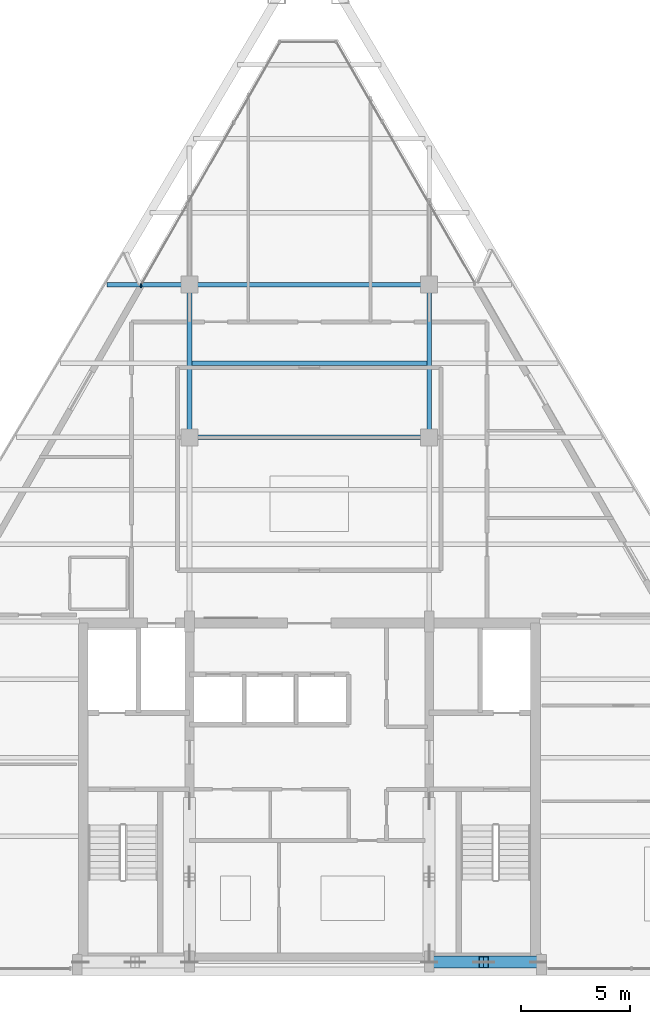
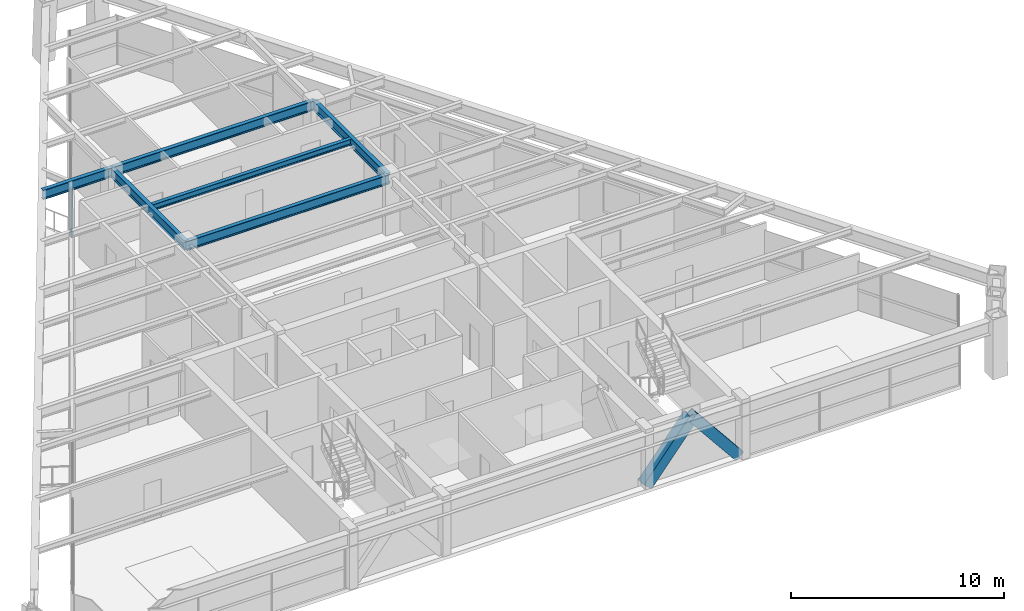
# One storey, part 4 of 13: 6 beams, 4 members, 1 element without a shape of its own.
"""IFC4 building model written with IfcOpenShell, lengths in metres."""

import ifcopenshell
import ifcopenshell.guid

model = None  # the IFC model being written
_history = None  # IfcOwnerHistory: only IFC2X3 demands one
_inside = {}  # id of a spatial element -> (the spatial element, [elements in it])
_under = {}  # id of a project, library or spatial element -> (it, [spatial elements below it])
_declared = {}  # id of a project -> (the project, [libraries it declares])
_typed = {}  # id of a type object -> (the type object, [elements of that type])
_made_of = {}  # id of a material, layer set ... -> (it, [elements and type objects made of it])


def new_model(schema):
    """Start an empty IFC model of exactly this schema.

    Asked for "IFC4X3", IfcOpenShell would pick the latest addendum, in which some entities
    have other attributes; the version numbers below select the first issue.
    IFC2X3 requires an IfcOwnerHistory on every rooted entity: one is made here for all.
    """
    global model, _history
    if schema == "IFC4X3":
        model = ifcopenshell.file(schema_version=(4, 3, 0, 0))
    else:
        model = ifcopenshell.file(schema=schema)
    _inside.clear()
    _under.clear()
    _declared.clear()
    _typed.clear()
    _made_of.clear()
    _history = None
    if model.schema == "IFC2X3":
        org = make("IfcOrganization", Name="unknown")
        user = make(
            "IfcPersonAndOrganization",
            ThePerson=make("IfcPerson", FamilyName="unknown"),
            TheOrganization=org,
        )
        app = make(
            "IfcApplication",
            ApplicationDeveloper=org,
            Version="unknown",
            ApplicationFullName="unknown",
            ApplicationIdentifier="unknown",
        )
        _history = make(
            "IfcOwnerHistory",
            OwningUser=user,
            OwningApplication=app,
            ChangeAction="ADDED",
            CreationDate=0,
        )
    return model


def make(cls, **values):
    """One entity of the class cls with the attributes given. An attribute that is None is left unset."""
    return model.create_entity(
        cls, **{name: value for name, value in values.items() if value is not None}
    )


def rooted(cls, **values):
    """An entity with a GlobalId (a new one), such as an element, a storey or a relation."""
    return make(cls, GlobalId=ifcopenshell.guid.new(), OwnerHistory=_history, **values)


def si_unit(unit_type, name, prefix=None):
    """IfcSIUnit, for example si_unit("LENGTHUNIT", "METRE", prefix="MILLI")."""
    return make("IfcSIUnit", UnitType=unit_type, Prefix=prefix, Name=name)


def assignment(units):
    """IfcUnitAssignment: the units of a project."""
    return None if units is None else make("IfcUnitAssignment", Units=units)


def point(xyz):
    """IfcCartesianPoint."""
    return None if xyz is None else make("IfcCartesianPoint", Coordinates=xyz)


def direction(xyz):
    """IfcDirection."""
    return None if xyz is None else make("IfcDirection", DirectionRatios=xyz)


def frame(location, z_axis=None, x_axis=None):
    """IfcAxis2Placement3D, a coordinate frame: its origin and axes. An axis left out is left unset."""
    return make(
        "IfcAxis2Placement3D",
        Location=point(location),
        Axis=direction(z_axis),
        RefDirection=direction(x_axis),
    )


def frame_2d(location, x_axis=None):
    """IfcAxis2Placement2D, a coordinate frame in the plane: its origin and x axis."""
    return make(
        "IfcAxis2Placement2D", Location=point(location), RefDirection=direction(x_axis)
    )


def origin():
    """The frame at (0, 0, 0) with its axes left unset."""
    return frame((0.0, 0.0, 0.0))


def origin_2d():
    """The frame at (0, 0) in the plane with its x axis left unset."""
    return frame_2d((0.0, 0.0))


def place(relative_to, where):
    """IfcLocalPlacement: puts the frame where relative to a parent placement (None: the world)."""
    return make(
        "IfcLocalPlacement", PlacementRelTo=relative_to, RelativePlacement=where
    )


def context(
    kind, dimensions, precision=None, world=None, true_north=None, identifier=None
):
    """IfcGeometricRepresentationContext, for example the 3D "Model" context."""
    return make(
        "IfcGeometricRepresentationContext",
        ContextIdentifier=identifier,
        ContextType=kind,
        CoordinateSpaceDimension=dimensions,
        Precision=precision,
        WorldCoordinateSystem=world,
        TrueNorth=true_north,
    )


def subcontext(parent, identifier, kind, view, scale=None):
    """IfcGeometricRepresentationSubContext, for example "Body" below "Model"."""
    return make(
        "IfcGeometricRepresentationSubContext",
        ContextIdentifier=identifier,
        ContextType=kind,
        ParentContext=parent,
        TargetScale=scale,
        TargetView=view,
    )


def project(units=None, contexts=None):
    """IfcProject with its units and contexts."""
    return rooted(
        "IfcProject",
        Name="project",
        RepresentationContexts=contexts,
        UnitsInContext=assignment(units),
    )


def spatial(cls, under=None, at=None, **own):
    """A site, building, storey or space (cls), placed at a placement, below another one or the project."""
    s = rooted(cls, ObjectPlacement=at, **own)
    if under is not None:
        _under.setdefault(under.id(), (under, []))[1].append(s)
    return s


def profile(cls, at=None, kind="AREA", **sizes):
    """A parametric profile (cls). Its sizes go by their IFC names, for example OverallWidth=200.0."""
    return make(cls, ProfileType=kind, Position=at, **sizes)


def rectangle(**sizes):
    """IfcRectangleProfileDef."""
    return profile("IfcRectangleProfileDef", **sizes)


def hollow_rectangle(**sizes):
    """IfcRectangleHollowProfileDef."""
    return profile("IfcRectangleHollowProfileDef", **sizes)


def i_section(**sizes):
    """IfcIShapeProfileDef."""
    return profile("IfcIShapeProfileDef", **sizes)


def extrude(swept, where, along, depth):
    """IfcExtrudedAreaSolid: the profile swept, set in the frame where, extruded along a direction by depth."""
    return make(
        "IfcExtrudedAreaSolid",
        SweptArea=swept,
        Position=where,
        ExtrudedDirection=direction(along),
        Depth=depth,
    )


def shape(context_of_items, identifier, shape_type, items):
    """IfcShapeRepresentation: the items that make up one representation, for example the "Body"."""
    return make(
        "IfcShapeRepresentation",
        ContextOfItems=context_of_items,
        RepresentationIdentifier=identifier,
        RepresentationType=shape_type,
        Items=items,
    )


def source(mapping_origin, context_of_items, identifier, shape_type, items):
    """IfcRepresentationMap: a shape defined once, which mapped items show again and again."""
    return make(
        "IfcRepresentationMap",
        MappingOrigin=mapping_origin,
        MappedRepresentation=shape(context_of_items, identifier, shape_type, items),
    )


def transform(
    local_origin,
    x_axis=None,
    y_axis=None,
    z_axis=None,
    scale=None,
    scale2=None,
    scale3=None,
    uniform=True,
):
    """IfcCartesianTransformationOperator3D, or its non-uniform kind. x_axis, y_axis, z_axis: its Axis1, 2, 3."""
    if uniform:
        return make(
            "IfcCartesianTransformationOperator3D",
            Axis1=direction(x_axis),
            Axis2=direction(y_axis),
            LocalOrigin=point(local_origin),
            Scale=scale,
            Axis3=direction(z_axis),
        )
    return make(
        "IfcCartesianTransformationOperator3DnonUniform",
        Axis1=direction(x_axis),
        Axis2=direction(y_axis),
        LocalOrigin=point(local_origin),
        Scale=scale,
        Axis3=direction(z_axis),
        Scale2=scale2,
        Scale3=scale3,
    )


def mapped(mapping_source, mapping_target):
    """IfcMappedItem: shows the shape of a source again, moved by a transform."""
    return make(
        "IfcMappedItem", MappingSource=mapping_source, MappingTarget=mapping_target
    )


def material(Name=None, Category=None):
    """IfcMaterial."""
    return make("IfcMaterial", Name=Name, Category=Category)


def material_profile(
    of_material, cross_section, Name=None, Category=None, Priority=None
):
    """IfcMaterialProfile: a cross section and its material."""
    return make(
        "IfcMaterialProfile",
        Name=Name,
        Material=of_material,
        Profile=cross_section,
        Priority=Priority,
        Category=Category,
    )


def profile_set(profiles, Name=None, composite=None):
    """IfcMaterialProfileSet."""
    return make(
        "IfcMaterialProfileSet",
        Name=Name,
        MaterialProfiles=profiles,
        CompositeProfile=composite,
    )


def made_of(thing, what):
    """Note that an element or type object is made of a material, layer set ...; save() writes the relation."""
    if what is not None:
        _made_of.setdefault(what.id(), (what, []))[1].append(thing)
    return thing


def type_object(cls, material=None, **own):
    """A type object (cls), such as IfcWallType, which elements share."""
    return made_of(rooted(cls, **own), material)


def type_shapes(of_type, sources):
    """Give a type object the sources (RepresentationMaps) that its elements show as mapped items."""
    of_type.RepresentationMaps = sources


def element(
    cls,
    number,
    at=None,
    inside=None,
    cuts=None,
    type_object=None,
    material=None,
    context=None,
    identifier="Body",
    shape_type=None,
    held_by="IfcProductDefinitionShape",
    body=None,
    shapes=None,
    **own,
):
    """One element of the class cls, such as IfcWall. Its Tag is "e" and its number.

    at: its placement. inside: the storey or other place that contains it. cuts: it is an
    opening in that element (IfcRelVoidsElement). A single representation is given by context,
    identifier, shape_type and body (its items); several are given by shapes. held_by: the class
    of the entity that holds the representations. save() writes the other relations.
    """
    e = rooted(cls, Tag="e%d" % number, ObjectPlacement=at, **own)
    if body is not None:
        shapes = [shape(context, identifier, shape_type, body)]
    if shapes is not None:
        e.Representation = make(held_by, Representations=shapes)
    if inside is not None:
        _inside.setdefault(inside.id(), (inside, []))[1].append(e)
    if cuts is not None:
        rooted(
            "IfcRelVoidsElement", RelatingBuildingElement=cuts, RelatedOpeningElement=e
        )
    if type_object is not None:
        _typed.setdefault(type_object.id(), (type_object, []))[1].append(e)
    return made_of(e, material)


def aggregate(whole, parts):
    """IfcRelAggregates: a whole, such as a stair, and the parts it consists of."""
    return rooted("IfcRelAggregates", RelatingObject=whole, RelatedObjects=parts)


def save(model, path):
    """Write the relations noted so far, then the file.

    IfcRelAggregates (storeys below a building ...), IfcRelContainedInSpatialStructure (elements
    in a storey), IfcRelDefinesByType, IfcRelAssociatesMaterial and IfcRelDeclares: one each for
    every whole, place, type object, material and project.
    """
    for whole, parts in _under.values():
        aggregate(whole, parts)
    for where, things in _inside.values():
        rooted(
            "IfcRelContainedInSpatialStructure",
            RelatedElements=things,
            RelatingStructure=where,
        )
    for kind, things in _typed.values():
        rooted("IfcRelDefinesByType", RelatedObjects=things, RelatingType=kind)
    for what, things in _made_of.values():
        rooted("IfcRelAssociatesMaterial", RelatedObjects=things, RelatingMaterial=what)
    for by, libraries in _declared.values():
        rooted("IfcRelDeclares", RelatingContext=by, RelatedDefinitions=libraries)
    model.write(path)


model = new_model("IFC4")

# Units and contexts
model_context = context("Model", 3, precision=1e-05, world=origin(), true_north=direction((0.0, 1.0)))
body_context = subcontext(model_context, "Body", "Model", "MODEL_VIEW")
ifc_project = project(units=[si_unit("LENGTHUNIT", "METRE"), si_unit("AREAUNIT", "SQUARE_METRE"), si_unit("VOLUMEUNIT", "CUBIC_METRE"), si_unit("PLANEANGLEUNIT", "RADIAN"), si_unit("MASSUNIT", "GRAM", prefix="KILO")], contexts=[model_context])

# Site, building, storey
site_placement = place(None, origin())
site = spatial("IfcSite", under=ifc_project, at=site_placement, CompositionType="ELEMENT")
building_placement = place(site_placement, origin())
building = spatial("IfcBuilding", under=site, at=building_placement, Name="Varnakhor Terracotta Tower", CompositionType="ELEMENT")
storey_placement = place(building_placement, frame((0.0, 0.0, 297.14990234375)))
storey = spatial("IfcBuildingStorey", under=building, at=storey_placement, Name="L78", CompositionType="ELEMENT", Elevation=297.14990234375)

# Beams
ifc_material_1 = material(Name="Steel S355", Category="steel")
ifc_material_profile_1 = material_profile(ifc_material_1, i_section(OverallWidth=0.214111328125, OverallDepth=0.549072265625, WebThickness=0.014892578125, FlangeThickness=0.02392578125, FilletRadius=0.01806640625, at=origin_2d()), Name="W21X93")
ifc_profile_set_1 = profile_set([ifc_material_profile_1], Name="Steel S355")
beam_type_1 = type_object("IfcBeamType", Name="BM-W21X93", PredefinedType="BEAM", material=ifc_profile_set_1)
shared_shape_1 = source(origin(), body_context, "Body", "SweptSolid", [
    extrude(i_section(OverallWidth=0.214111328125, OverallDepth=0.549072265625, WebThickness=0.014892578125, FlangeThickness=0.02392578125, FilletRadius=0.01806640625, at=origin_2d()), origin(), (0.0, 0.0, 1.0), 7.0),
])
for number, where, z_axis, x_axis, name in (
    (1, (-5.5, 24.5, 2.965576171875), (0.0, 1.0, 0.0), (-1.0, 0.0, 0.0), "L78 Primary Girder NS2-W"),
    (2, (5.5, 24.5, 2.965576171875), (0.0, 1.0, 0.0), (-1.0, 0.0, 0.0), "L78 Primary Girder NS2-E"),
):
    element("IfcBeam", number, at=place(storey_placement, frame(where, z_axis=z_axis, x_axis=x_axis)), inside=storey, type_object=beam_type_1, Name=name, PredefinedType="BEAM", context=body_context, shape_type="MappedRepresentation", body=[
        mapped(shared_shape_1, transform((0.0, 0.0, 0.0), scale=1.0)),
    ])
shared_shape_2 = source(origin(), body_context, "Body", "SweptSolid", [
    extrude(i_section(OverallWidth=0.214111328125, OverallDepth=0.549072265625, WebThickness=0.014892578125, FlangeThickness=0.02392578125, FilletRadius=0.01806640625, at=origin_2d()), origin(), (0.0, 0.0, 1.0), 11.0),
])
for number, where, z_axis, x_axis, name in (
    (3, (-5.5, 24.5, 2.965576171875), (1.0, 0.0, 0.0), (0.0, 1.0, 0.0), "L78 Primary Girder EW2-2"),
    (4, (-5.5, 31.5, 2.965576171875), (1.0, 0.0, 0.0), (0.0, 1.0, 0.0), "L78 Primary Girder EW3-2"),
):
    element("IfcBeam", number, at=place(storey_placement, frame(where, z_axis=z_axis, x_axis=x_axis)), inside=storey, type_object=beam_type_1, Name=name, PredefinedType="BEAM", context=body_context, shape_type="MappedRepresentation", body=[
        mapped(shared_shape_2, transform((0.0, 0.0, 0.0), scale=1.0)),
    ])
ifc_material_profile_2 = material_profile(ifc_material_1, i_section(OverallWidth=0.202880859375, OverallDepth=0.346923828125, WebThickness=0.0078125, FlangeThickness=0.013427734375, FilletRadius=0.01806640625, at=origin_2d()), Name="W14X43")
ifc_profile_set_2 = profile_set([ifc_material_profile_2], Name="Steel S355")
beam_type_2 = type_object("IfcBeamType", Name="JST-W14X43", PredefinedType="JOIST", material=ifc_profile_set_2)
shared_shape_3 = source(origin(), body_context, "Body", "SweptSolid", [
    extrude(i_section(OverallWidth=0.202880859375, OverallDepth=0.346923828125, WebThickness=0.0078125, FlangeThickness=0.013427734375, FilletRadius=0.01806640625, at=origin_2d()), origin(), (0.0, 0.0, 1.0), 10.7939453125),
])
beam_1_placement = place(storey_placement, frame((-5.39697265625, 27.89990234375, 3.066650390625), z_axis=(1.0, 0.0, 0.0), x_axis=(0.0, 1.0, 0.0)))
element("IfcBeam", 5, at=beam_1_placement, inside=storey, type_object=beam_type_2, Name="L78 Composite Floor Joist 6-2", PredefinedType="JOIST", context=body_context, shape_type="MappedRepresentation", body=[
    mapped(shared_shape_3, transform((0.0, 0.0, 0.0), scale=1.0)),
])

# Members
ifc_material_profile_3 = material_profile(ifc_material_1, hollow_rectangle(XDim=0.550048828125, YDim=0.550048828125, WallThickness=0.034912109375, at=origin_2d()), Name="HSS550X550X35")
ifc_profile_set_3 = profile_set([ifc_material_profile_3], Name="Steel S355")
member_type_1 = type_object("IfcMemberType", Name="MBR-MEGA-550", PredefinedType="BRACE", material=ifc_profile_set_3)
shared_shape_4 = source(origin(), body_context, "Body", "SweptSolid", [
    extrude(hollow_rectangle(XDim=0.550048828125, YDim=0.550048828125, WallThickness=0.034912109375, at=origin_2d()), origin(), (0.0, 0.0, 1.0), 3.974853515625),
])
for number, where, z_axis, x_axis, name in (
    (6, (5.5, 0.419921875, 0.0), (0.628970263838, 0.0, 0.777429358339), (0.0, 1.0, 0.0), "L78 Core Coupled Brace CSEA"),
    (7, (10.5, 0.419921875, 0.0), (-0.628970263838, 0.0, 0.777429358339), (0.0, -1.0, 0.0), "L78 Core Coupled Brace CSEB"),
):
    element("IfcMember", number, at=place(storey_placement, frame(where, z_axis=z_axis, x_axis=x_axis)), inside=storey, type_object=member_type_1, Name=name, PredefinedType="BRACE", context=body_context, shape_type="MappedRepresentation", body=[
        mapped(shared_shape_4, transform((0.0, 0.0, 0.0), scale=1.0)),
    ])

# Beam
shared_shape_5 = source(origin(), body_context, "Body", "SweptSolid", [
    extrude(i_section(OverallWidth=0.214111328125, OverallDepth=0.549072265625, WebThickness=0.014892578125, FlangeThickness=0.02392578125, FilletRadius=0.01806640625, at=origin_2d()), origin(), (0.0, 0.0, 1.0), 3.777099609375),
])
beam_2_placement = place(storey_placement, frame((-9.277099609375, 31.5, 2.965576171875), z_axis=(1.0, 0.0, 0.0), x_axis=(0.0, 1.0, 0.0)))
element("IfcBeam", 8, at=beam_2_placement, inside=storey, type_object=beam_type_1, Name="L78 Primary Girder EW3-1", PredefinedType="BEAM", context=body_context, shape_type="MappedRepresentation", body=[
    mapped(shared_shape_5, transform((0.0, 0.0, 0.0), scale=1.0)),
])

# Curtain wall, members
ifc_material_2 = material(Name="Anodised Aluminium Curtain Wall System", Category="aluminium")
curtain_wall_type = type_object("IfcCurtainWallType", Name="CW-SYS-HOTEL-LOGGIA", PredefinedType="NOTDEFINED", material=ifc_material_2)
curtain_wall_placement = place(storey_placement, origin())
curtain_wall = element("IfcCurtainWall", 9, at=curtain_wall_placement, inside=storey, type_object=curtain_wall_type, Name="L78 W Facet Curtain Wall 2", PredefinedType="NOTDEFINED")
ifc_material_3 = material(Name="Anodised Aluminium 6063-T6", Category="aluminium")
ifc_material_profile_4 = material_profile(ifc_material_3, rectangle(XDim=0.06494140625, YDim=0.159912109375, at=origin_2d()), Name="ALU MULLION 65x160")
ifc_profile_set_4 = profile_set([ifc_material_profile_4], Name="Anodised Aluminium 6063-T6")
member_type_2 = type_object("IfcMemberType", Name="CWM-04", PredefinedType="MULLION", material=ifc_profile_set_4)
shared_shape_6 = source(origin(), body_context, "Body", "SweptSolid", [
    extrude(rectangle(XDim=0.06494140625, YDim=0.159912109375, at=origin_2d()), origin(), (0.0, 0.0, 1.0), 2.820068359375),
])
type_shapes(member_type_2, [shared_shape_6])
member_1_placement = place(storey_placement, frame((-7.73193359375, 31.472900390625, 0.0), z_axis=(0.0, 0.0, 1.0), x_axis=(1.0, 0.0, 0.0)))
member_1 = element("IfcMember", 10, at=member_1_placement, type_object=member_type_2, Name="L78 W Facet Curtain Wall 2 Mullion 1", PredefinedType="MULLION", context=body_context, shape_type="MappedRepresentation", body=[
    mapped(shared_shape_6, transform((0.0, 0.0, 0.0), scale=1.0)),
])
member_2_placement = place(storey_placement, frame((-7.7294921875, 31.43701171875, 0.0), z_axis=(0.0, 0.0, 1.0), x_axis=(1.0, 0.0, 0.0)))
member_2 = element("IfcMember", 11, at=member_2_placement, type_object=member_type_2, Name="L78 W Loggia Jamb Closure Mullion 2", PredefinedType="MULLION", context=body_context, shape_type="MappedRepresentation", body=[
    mapped(shared_shape_6, transform((0.0, 0.0, 0.0), scale=1.0)),
])
aggregate(curtain_wall, [member_1, member_2])

save(model, "model.ifc")
